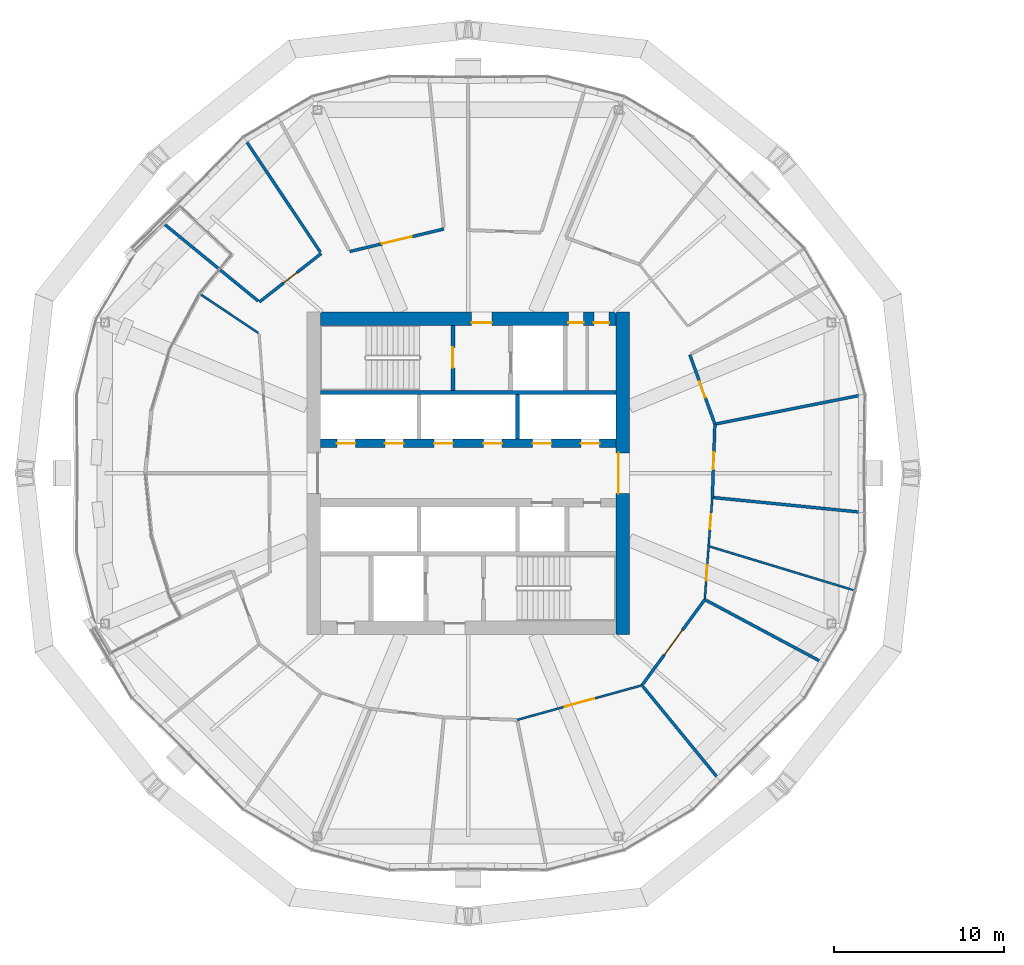
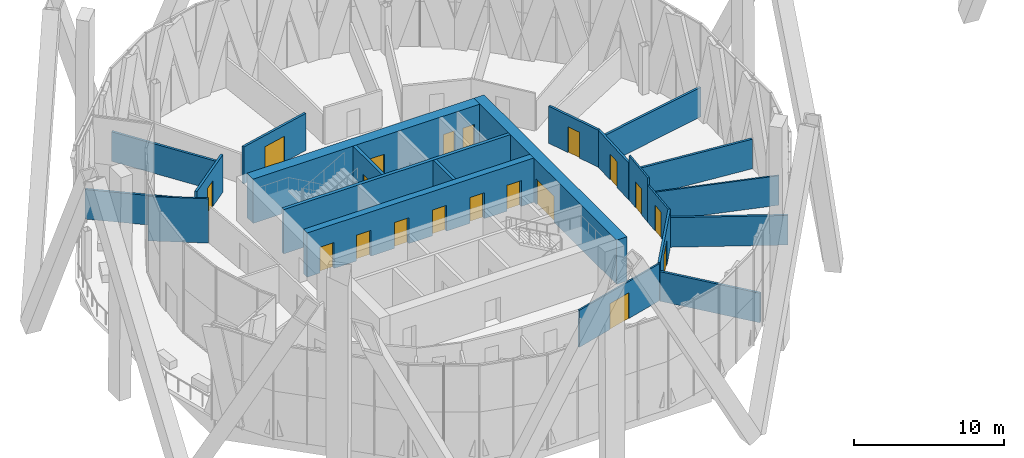
# One storey, part 22 of 30: 22 walls, 19 doors, 19 openings.
"""IFC4 building model written with IfcOpenShell, lengths in metres."""

from ifc_helpers import new_model, si_unit, direction, frame, frame_2d, origin, place, context, subcontext, project, spatial, rectangle, extrude, material, layer, layer_set, type_object, element, fill, save


model = new_model("IFC4")

# Units and contexts
model_context = context("Model", 3, precision=1e-05, world=origin(), true_north=direction((0.0, 1.0)))
body_context = subcontext(model_context, "Body", "Model", "MODEL_VIEW")
ifc_project = project(units=[si_unit("LENGTHUNIT", "METRE"), si_unit("AREAUNIT", "SQUARE_METRE"), si_unit("VOLUMEUNIT", "CUBIC_METRE"), si_unit("PLANEANGLEUNIT", "RADIAN"), si_unit("MASSUNIT", "GRAM", prefix="KILO")], contexts=[model_context])

# Site, building, storey
site_placement = place(None, origin())
site = spatial("IfcSite", under=ifc_project, at=site_placement, CompositionType="ELEMENT")
building_placement = place(site_placement, origin())
building = spatial("IfcBuilding", under=site, at=building_placement, Name="Ogive Gate Towers", CompositionType="ELEMENT")
storey_placement = place(building_placement, frame((0.0, 0.0, 99.60009765625)))
storey = spatial("IfcBuildingStorey", under=building, at=storey_placement, Name="L23", CompositionType="ELEMENT", Elevation=99.60009765625)

# Walls
ifc_material_1 = material(Name="Gypsum board acoustic partition")
ifc_layer_1 = layer(ifc_material_1, 0.175048828125)
ifc_layer_set_1 = layer_set([ifc_layer_1], Name="Acoustic partition 175")
wall_type_1 = type_object("IfcWallType", Name="Acoustic partition 175", PredefinedType="PARTITIONING", material=ifc_layer_set_1)
wall_1_placement = place(storey_placement, frame((-12.74462890625, 4.6181640625, 0.0), z_axis=(0.0, 0.0, 1.0), x_axis=(-0.980846189341, -0.194783861895, 0.0)))
element("IfcWall", 1, at=wall_1_placement, inside=storey, type_object=wall_type_1, Name="Partition T1-L23-001", PredefinedType="PARTITIONING", context=body_context, shape_type="SweptSolid", body=[
    extrude(rectangle(XDim=8.811279296875, YDim=0.175048828125, at=frame_2d((4.40576171875, 0.0))), origin(), (0.0, 0.0, 1.0), 2.39990234375),
])
wall_2_placement = place(storey_placement, frame((-49.1787109375, 19.709716796875, 0.0), z_axis=(0.0, 0.0, 1.0), x_axis=(0.555845830277, -0.831285398021, 0.0)))
element("IfcWall", 2, at=wall_2_placement, inside=storey, type_object=wall_type_1, Name="Partition T1-L23-010", PredefinedType="PARTITIONING", context=body_context, shape_type="SweptSolid", body=[
    extrude(rectangle(XDim=8.0615234375, YDim=0.175048828125, at=frame_2d((4.03076171875, 0.0))), origin(), (0.0, 0.0, 1.0), 2.39990234375),
])
wall_3_placement = place(storey_placement, frame((-54.055419921875, 14.79931640625, 0.0), z_axis=(0.0, 0.0, 1.0), x_axis=(0.773401433888, -0.633916573422, 0.0)))
element("IfcWall", 3, at=wall_3_placement, inside=storey, type_object=wall_type_1, Name="Partition T1-L23-011", PredefinedType="PARTITIONING", context=body_context, shape_type="SweptSolid", body=[
    extrude(rectangle(XDim=7.36181640625, YDim=0.175048828125, at=frame_2d((3.680908203125, 0.0))), origin(), (0.0, 0.0, 1.0), 2.39990234375),
])
wall_4_placement = place(storey_placement, frame((-21.205322265625, -18.06005859375, 0.0), z_axis=(0.0, 0.0, 1.0), x_axis=(-0.633691954899, 0.773585487388, 0.0)))
element("IfcWall", 4, at=wall_4_placement, inside=storey, type_object=wall_type_1, Name="Partition T1-L23-021", PredefinedType="PARTITIONING", context=body_context, shape_type="SweptSolid", body=[
    extrude(rectangle(XDim=7.111572265625, YDim=0.175048828125, at=frame_2d((3.5556640625, 0.0))), origin(), (0.0, 0.0, 1.0), 2.39990234375),
])
wall_5_placement = place(storey_placement, frame((-15.1005859375, -11.1640625, 0.0), z_axis=(0.0, 0.0, 1.0), x_axis=(-0.882037828895, 0.471178595012, 0.0)))
element("IfcWall", 5, at=wall_5_placement, inside=storey, type_object=wall_type_1, Name="Partition T1-L23-022", PredefinedType="PARTITIONING", context=body_context, shape_type="SweptSolid", body=[
    extrude(rectangle(XDim=7.8115234375, YDim=0.175048828125, at=frame_2d((3.90576171875, 0.0))), origin(), (0.0, 0.0, 1.0), 2.39990234375),
])
wall_6_placement = place(storey_placement, frame((-12.768310546875, -2.308837890625, 0.0), z_axis=(0.0, 0.0, 1.0), x_axis=(-0.995098722397, 0.098886463601, 0.0)))
element("IfcWall", 6, at=wall_6_placement, inside=storey, type_object=wall_type_1, Name="Partition T1-L23-024", PredefinedType="PARTITIONING", context=body_context, shape_type="SweptSolid", body=[
    extrude(rectangle(XDim=8.8115234375, YDim=0.175048828125, at=frame_2d((4.40576171875, 0.0))), origin(), (0.0, 0.0, 1.0), 2.39990234375),
])

# Wall, opening, door
wall_7_placement = place(storey_placement, frame((-22.949951171875, 6.97119140625, 0.0), z_axis=(0.0, 0.0, 1.0), x_axis=(0.339879175727, -0.940469109491, 0.0)))
wall_7 = element("IfcWall", 7, at=wall_7_placement, inside=storey, type_object=wall_type_1, Name="Partition T1-L23-027", PredefinedType="PARTITIONING", context=body_context, shape_type="SweptSolid", body=[
    extrude(rectangle(XDim=4.34521484375, YDim=0.175048828125, at=frame_2d((2.172607421875, 0.0))), origin(), (0.0, 0.0, 1.0), 3.010009765625),
])
opening_1_placement = place(wall_7_placement, frame((1.673095703125, 0.0, 0.0)))
opening_1 = element("IfcOpeningElement", 8, at=opening_1_placement, cuts=wall_7, Name="Opening T1-L23-D03", PredefinedType="OPENING", context=body_context, shape_type="SweptSolid", body=[
    extrude(rectangle(XDim=1.0, YDim=2.10009765625, at=frame_2d((0.5, 1.050048828125))), frame((0.0, 0.09765625, 0.0), z_axis=(0.0, -1.0, 0.0), x_axis=(1.0, 0.0, 0.0)), (0.0, 0.0, 1.0), 0.195068359375),
])
ifc_material_2 = material(Name="Timber door", Category="wood")
door_type_1 = type_object("IfcDoorType", Name="Door 1000", OperationType="NOTDEFINED", PredefinedType="DOOR", material=ifc_material_2)
door_1_placement = place(opening_1_placement, origin())
door_1 = element("IfcDoor", 9, at=door_1_placement, inside=storey, type_object=door_type_1, Name="Door T1-L23-D03", OperationType="SINGLE_SWING_LEFT", OverallHeight=2.10009765625, OverallWidth=1.0, PredefinedType="DOOR", context=body_context, shape_type="SweptSolid", body=[
    extrude(rectangle(XDim=1.0, YDim=2.10009765625, at=frame_2d((0.5, 1.050048828125))), frame((0.0, 0.02490234375, 0.0), z_axis=(0.0, -1.0, 0.0), x_axis=(1.0, 0.0, 0.0)), (0.0, 0.0, 1.0), 0.050048828125),
])
fill(opening_1, door_1)

wall_8_placement = place(storey_placement, frame((-21.47314453125, 2.884765625, 0.0), z_axis=(0.0, 0.0, 1.0), x_axis=(-0.034844121558, -0.999392759226, 0.0)))
wall_8 = element("IfcWall", 10, at=wall_8_placement, inside=storey, type_object=wall_type_1, Name="Partition T1-L23-028", PredefinedType="PARTITIONING", context=body_context, shape_type="SweptSolid", body=[
    extrude(rectangle(XDim=4.316162109375, YDim=0.175048828125, at=frame_2d((2.158203125, 0.0))), origin(), (0.0, 0.0, 1.0), 3.0),
])
opening_2_placement = place(wall_8_placement, frame((1.657958984375, 0.0, 0.0)))
opening_2 = element("IfcOpeningElement", 11, at=opening_2_placement, cuts=wall_8, Name="Opening T1-L23-D04", PredefinedType="OPENING", context=body_context, shape_type="SweptSolid", body=[
    extrude(rectangle(XDim=1.0, YDim=2.10009765625, at=frame_2d((0.5, 1.050048828125))), frame((0.0, 0.09765625, 0.0), z_axis=(0.0, -1.0, 0.0), x_axis=(1.0, 0.0, 0.0)), (0.0, 0.0, 1.0), 0.195068359375),
])
door_2_placement = place(opening_2_placement, origin())
door_2 = element("IfcDoor", 12, at=door_2_placement, inside=storey, type_object=door_type_1, Name="Door T1-L23-D04", OperationType="SINGLE_SWING_LEFT", OverallHeight=2.10009765625, OverallWidth=1.0, PredefinedType="DOOR", context=body_context, shape_type="SweptSolid", body=[
    extrude(rectangle(XDim=1.0, YDim=2.10009765625, at=frame_2d((0.5, 1.050048828125))), frame((0.0, 0.02490234375, 0.0), z_axis=(0.0, -1.0, 0.0), x_axis=(1.0, 0.0, 0.0)), (0.0, 0.0, 1.0), 0.050048828125),
])
fill(opening_2, door_2)

wall_9_placement = place(storey_placement, frame((-22.06787109375, -7.4423828125, 0.0), z_axis=(0.0, 0.0, 1.0), x_axis=(-0.591069382542, -0.806620719435, 0.0)))
wall_9 = element("IfcWall", 13, at=wall_9_placement, inside=storey, type_object=wall_type_1, Name="Partition T1-L23-031", PredefinedType="PARTITIONING", context=body_context, shape_type="SweptSolid", body=[
    extrude(rectangle(XDim=6.259033203125, YDim=0.175048828125, at=frame_2d((3.12939453125, 0.0))), origin(), (0.0, 0.0, 1.0), 3.0498046875),
])
opening_3_placement = place(wall_9_placement, frame((2.22998046875, 0.0, 0.0)))
opening_3 = element("IfcOpeningElement", 14, at=opening_3_placement, cuts=wall_9, Name="Opening T1-L23-D07", PredefinedType="OPENING", context=body_context, shape_type="SweptSolid", body=[
    extrude(rectangle(XDim=1.800048828125, YDim=2.10009765625, at=frame_2d((0.89990234375, 1.050048828125))), frame((0.0, 0.09765625, 0.0), z_axis=(0.0, -1.0, 0.0), x_axis=(1.0, 0.0, 0.0)), (0.0, 0.0, 1.0), 0.195068359375),
])
door_type_2 = type_object("IfcDoorType", Name="Door pair 1800", OperationType="NOTDEFINED", PredefinedType="DOOR", material=ifc_material_2)
door_3_placement = place(opening_3_placement, origin())
door_3 = element("IfcDoor", 15, at=door_3_placement, inside=storey, type_object=door_type_2, Name="Door T1-L23-D07", OperationType="DOUBLE_DOOR_DOUBLE_SWING", OverallHeight=2.10009765625, OverallWidth=1.800048828125, PredefinedType="DOOR", context=body_context, shape_type="SweptSolid", body=[
    extrude(rectangle(XDim=1.800048828125, YDim=2.10009765625, at=frame_2d((0.89990234375, 1.050048828125))), frame((0.0, 0.02490234375, 0.0), z_axis=(0.0, -1.0, 0.0), x_axis=(1.0, 0.0, 0.0)), (0.0, 0.0, 1.0), 0.050048828125),
])
fill(opening_3, door_3)

wall_10_placement = place(storey_placement, frame((-48.294189453125, 10.0771484375, 0.0), z_axis=(0.0, 0.0, 1.0), x_axis=(0.786925177745, 0.617048429729, 0.0)))
wall_10 = element("IfcWall", 16, at=wall_10_placement, inside=storey, type_object=wall_type_1, Name="Partition T1-L23-040", PredefinedType="PARTITIONING", context=body_context, shape_type="SweptSolid", body=[
    extrude(rectangle(XDim=4.632080078125, YDim=0.175048828125, at=frame_2d((2.31591796875, 0.0))), origin(), (0.0, 0.0, 1.0), 3.0498046875),
])
opening_4_placement = place(wall_10_placement, frame((1.81591796875, 0.0, 0.0)))
opening_4 = element("IfcOpeningElement", 17, at=opening_4_placement, cuts=wall_10, Name="Opening T1-L23-D16", PredefinedType="OPENING", context=body_context, shape_type="SweptSolid", body=[
    extrude(rectangle(XDim=1.0, YDim=2.10009765625, at=frame_2d((0.5, 1.050048828125))), frame((0.0, 0.09765625, 0.0), z_axis=(0.0, -1.0, 0.0), x_axis=(1.0, 0.0, 0.0)), (0.0, 0.0, 1.0), 0.195068359375),
])
door_4_placement = place(opening_4_placement, origin())
door_4 = element("IfcDoor", 18, at=door_4_placement, inside=storey, type_object=door_type_1, Name="Door T1-L23-D16", OperationType="SINGLE_SWING_RIGHT", OverallHeight=2.10009765625, OverallWidth=1.0, PredefinedType="DOOR", context=body_context, shape_type="SweptSolid", body=[
    extrude(rectangle(XDim=1.0, YDim=2.10009765625, at=frame_2d((0.5, 1.050048828125))), frame((0.0, 0.02490234375, 0.0), z_axis=(0.0, -1.0, 0.0), x_axis=(1.0, 0.0, 0.0)), (0.0, 0.0, 1.0), 0.050048828125),
])
fill(opening_4, door_4)

wall_11_placement = place(storey_placement, frame((-42.97119140625, 13.050048828125, 0.0), z_axis=(0.0, 0.0, 1.0), x_axis=(0.972537588214, 0.232745868944, 0.0)))
wall_11 = element("IfcWall", 19, at=wall_11_placement, inside=storey, type_object=wall_type_1, Name="Partition T1-L23-041", PredefinedType="PARTITIONING", context=body_context, shape_type="SweptSolid", body=[
    extrude(rectangle(XDim=5.698974609375, YDim=0.175048828125, at=frame_2d((2.849609375, 0.0))), origin(), (0.0, 0.0, 1.0), 3.010009765625),
])
opening_5_placement = place(wall_11_placement, frame((1.948974609375, 0.0, 0.0)))
opening_5 = element("IfcOpeningElement", 20, at=opening_5_placement, cuts=wall_11, Name="Opening T1-L23-D17", PredefinedType="OPENING", context=body_context, shape_type="SweptSolid", body=[
    extrude(rectangle(XDim=1.800048828125, YDim=2.10009765625, at=frame_2d((0.89990234375, 1.050048828125))), frame((0.0, 0.09765625, 0.0), z_axis=(0.0, -1.0, 0.0), x_axis=(1.0, 0.0, 0.0)), (0.0, 0.0, 1.0), 0.195068359375),
])
door_5_placement = place(opening_5_placement, origin())
door_5 = element("IfcDoor", 21, at=door_5_placement, inside=storey, type_object=door_type_2, Name="Door T1-L23-D17", OperationType="DOUBLE_DOOR_DOUBLE_SWING", OverallHeight=2.10009765625, OverallWidth=1.800048828125, PredefinedType="DOOR", context=body_context, shape_type="SweptSolid", body=[
    extrude(rectangle(XDim=1.800048828125, YDim=2.10009765625, at=frame_2d((0.89990234375, 1.050048828125))), frame((0.0, 0.02490234375, 0.0), z_axis=(0.0, -1.0, 0.0), x_axis=(1.0, 0.0, 0.0)), (0.0, 0.0, 1.0), 0.050048828125),
])
fill(opening_5, door_5)

# Wall, openings, doors
ifc_material_3 = material(Name="Concrete C60/75", Category="concrete")
ifc_layer_2 = layer(ifc_material_3, 0.800048828125)
ifc_layer_set_2 = layer_set([ifc_layer_2], Name="Core wall 800 mm")
wall_type_2 = type_object("IfcWallType", Name="Core wall 800 mm", PredefinedType="SHEAR", material=ifc_layer_set_2)
wall_12_placement = place(storey_placement, frame((-44.699951171875, 9.10009765625, 0.0), z_axis=(0.0, 0.0, 1.0), x_axis=(1.0, 0.0, 0.0)))
wall_12 = element("IfcWall", 22, at=wall_12_placement, inside=storey, type_object=wall_type_2, Name="T1 L23 Core wall 800 mm", PredefinedType="SHEAR", context=body_context, shape_type="SweptSolid", body=[
    extrude(rectangle(XDim=17.39990234375, YDim=0.800048828125, at=frame_2d((8.699951171875, 0.0))), origin(), (0.0, 0.0, 1.0), 3.599853515625),
])
opening_6_placement = place(wall_12_placement, frame((8.89990234375, 0.0, 0.0)))
opening_6 = element("IfcOpeningElement", 23, at=opening_6_placement, cuts=wall_12, Name="Opening KD-T1-L23-15", PredefinedType="OPENING", context=body_context, shape_type="SweptSolid", body=[
    extrude(rectangle(XDim=1.199951171875, YDim=2.10009765625, at=frame_2d((0.60009765625, 1.050048828125))), frame((0.0, 0.41015625, 0.0), z_axis=(0.0, -1.0, 0.0), x_axis=(1.0, 0.0, 0.0)), (0.0, 0.0, 1.0), 0.820068359375),
])
opening_7_placement = place(wall_12_placement, frame((14.60009765625, 0.0, 0.0)))
opening_7 = element("IfcOpeningElement", 24, at=opening_7_placement, cuts=wall_12, Name="Opening KD-T1-L23-17", PredefinedType="OPENING", context=body_context, shape_type="SweptSolid", body=[
    extrude(rectangle(XDim=0.89990234375, YDim=2.10009765625, at=frame_2d((0.449951171875, 1.050048828125))), frame((0.0, 0.41015625, 0.0), z_axis=(0.0, -1.0, 0.0), x_axis=(1.0, 0.0, 0.0)), (0.0, 0.0, 1.0), 0.820068359375),
])
opening_8_placement = place(wall_12_placement, frame((16.10009765625, 0.0, 0.0)))
opening_8 = element("IfcOpeningElement", 25, at=opening_8_placement, cuts=wall_12, Name="Opening KD-T1-L23-18", PredefinedType="OPENING", context=body_context, shape_type="SweptSolid", body=[
    extrude(rectangle(XDim=0.89990234375, YDim=2.10009765625, at=frame_2d((0.449951171875, 1.050048828125))), frame((0.0, 0.41015625, 0.0), z_axis=(0.0, -1.0, 0.0), x_axis=(1.0, 0.0, 0.0)), (0.0, 0.0, 1.0), 0.820068359375),
])
door_type_3 = type_object("IfcDoorType", Name="Core WC door 900 x 2100", OperationType="NOTDEFINED", PredefinedType="DOOR", material=ifc_material_2)
door_6_placement = place(opening_7_placement, origin())
door_6 = element("IfcDoor", 26, at=door_6_placement, inside=storey, type_object=door_type_3, Name="T1 L23 Core door", OperationType="SINGLE_SWING_RIGHT", OverallHeight=2.10009765625, OverallWidth=0.89990234375, PredefinedType="DOOR", context=body_context, shape_type="SweptSolid", body=[
    extrude(rectangle(XDim=0.89990234375, YDim=2.10009765625, at=frame_2d((0.449951171875, 1.050048828125))), frame((0.0, -0.22509765625, 0.0), z_axis=(0.0, -1.0, 0.0), x_axis=(1.0, 0.0, 0.0)), (0.0, 0.0, 1.0), 0.050048828125),
])
fill(opening_7, door_6)
door_7_placement = place(opening_8_placement, origin())
door_7 = element("IfcDoor", 27, at=door_7_placement, inside=storey, type_object=door_type_3, Name="T1 L23 Core door", OperationType="SINGLE_SWING_LEFT", OverallHeight=2.10009765625, OverallWidth=0.89990234375, PredefinedType="DOOR", context=body_context, shape_type="SweptSolid", body=[
    extrude(rectangle(XDim=0.89990234375, YDim=2.10009765625, at=frame_2d((0.449951171875, 1.050048828125))), frame((0.0, -0.22509765625, 0.0), z_axis=(0.0, -1.0, 0.0), x_axis=(1.0, 0.0, 0.0)), (0.0, 0.0, 1.0), 0.050048828125),
])
fill(opening_8, door_7)
ifc_material_4 = material(Name="Steel fire door", Category="steel")
door_type_4 = type_object("IfcDoorType", Name="Core door FD60S 1200 x 2100", OperationType="NOTDEFINED", PredefinedType="DOOR", material=ifc_material_4)
door_8_placement = place(opening_6_placement, origin())
door_8 = element("IfcDoor", 28, at=door_8_placement, inside=storey, type_object=door_type_4, Name="T1 L23 Fire-fighting lobby door", OperationType="SINGLE_SWING_RIGHT", OverallHeight=2.10009765625, OverallWidth=1.199951171875, PredefinedType="DOOR", context=body_context, shape_type="SweptSolid", body=[
    extrude(rectangle(XDim=1.199951171875, YDim=2.10009765625, at=frame_2d((0.60009765625, 1.050048828125))), frame((0.0, -0.22509765625, 0.0), z_axis=(0.0, -1.0, 0.0), x_axis=(1.0, 0.0, 0.0)), (0.0, 0.0, 1.0), 0.050048828125),
])
fill(opening_6, door_8)

# Wall, opening, door
wall_13_placement = place(storey_placement, frame((-26.89990234375, -9.5, 0.0), z_axis=(0.0, 0.0, 1.0), x_axis=(0.0, 1.0, 0.0)))
wall_13 = element("IfcWall", 29, at=wall_13_placement, inside=storey, type_object=wall_type_2, Name="T1 L23 Core wall 800 mm", PredefinedType="SHEAR", context=body_context, shape_type="SweptSolid", body=[
    extrude(rectangle(XDim=19.0, YDim=0.800048828125, at=frame_2d((9.5, 0.0))), origin(), (0.0, 0.0, 1.0), 3.599853515625),
])
opening_9_placement = place(wall_13_placement, frame((8.300048828125, 0.0, 0.0)))
opening_9 = element("IfcOpeningElement", 30, at=opening_9_placement, cuts=wall_13, Name="Opening KD-T1-L23-02", PredefinedType="OPENING", context=body_context, shape_type="SweptSolid", body=[
    extrude(rectangle(XDim=2.39990234375, YDim=2.10009765625, at=frame_2d((1.199951171875, 1.050048828125))), frame((0.0, 0.41015625, 0.0), z_axis=(0.0, -1.0, 0.0), x_axis=(1.0, 0.0, 0.0)), (0.0, 0.0, 1.0), 0.820068359375),
])
door_type_5 = type_object("IfcDoorType", Name="Core double door FD60S 2400 x 2100", OperationType="DOUBLE_DOOR_SINGLE_SWING", PredefinedType="DOOR", material=ifc_material_4)
door_9_placement = place(opening_9_placement, origin())
door_9 = element("IfcDoor", 31, at=door_9_placement, inside=storey, type_object=door_type_5, Name="T1 L23 Core door double", OperationType="DOUBLE_DOOR_SINGLE_SWING", OverallHeight=2.10009765625, OverallWidth=2.39990234375, PredefinedType="DOOR", context=body_context, shape_type="SweptSolid", body=[
    extrude(rectangle(XDim=2.39990234375, YDim=2.10009765625, at=frame_2d((1.199951171875, 1.050048828125))), frame((0.0, 0.27490234375, 0.0), z_axis=(0.0, -1.0, 0.0), x_axis=(1.0, 0.0, 0.0)), (0.0, 0.0, 1.0), 0.050048828125),
])
fill(opening_9, door_9)

# Walls
ifc_material_5 = material(Name="Gypsum board partition")
ifc_layer_3 = layer(ifc_material_5, 0.125)
ifc_layer_set_3 = layer_set([ifc_layer_3], Name="Partition 125")
wall_type_3 = type_object("IfcWallType", Name="Partition 125", PredefinedType="PARTITIONING", material=ifc_layer_set_3)
wall_14_placement = place(storey_placement, frame((-51.72265625, 10.505615234375, 0.0), z_axis=(0.0, 0.0, 1.0), x_axis=(0.831482605383, -0.555550787008, 0.0)))
element("IfcWall", 32, at=wall_14_placement, inside=storey, type_object=wall_type_3, Name="Partition T1-L23-012", PredefinedType="PARTITIONING", context=body_context, shape_type="SweptSolid", body=[
    extrude(rectangle(XDim=4.0390625, YDim=0.125, at=frame_2d((2.01953125, 0.0))), origin(), (0.0, 0.0, 1.0), 3.599853515625),
])
wall_15_placement = place(storey_placement, frame((-13.32763671875, -6.8837890625, 0.0), z_axis=(0.0, 0.0, 1.0), x_axis=(-0.956872074034, 0.290509610743, 0.0)))
element("IfcWall", 33, at=wall_15_placement, inside=storey, type_object=wall_type_3, Name="Partition T1-L23-023", PredefinedType="PARTITIONING", context=body_context, shape_type="SweptSolid", body=[
    extrude(rectangle(XDim=8.836669921875, YDim=0.125, at=frame_2d((4.41845703125, 0.0))), origin(), (0.0, 0.0, 1.0), 2.39990234375),
])

# Wall, opening, door
wall_16_placement = place(storey_placement, frame((-21.62353515625, -1.4287109375, 0.0), z_axis=(0.0, 0.0, 1.0), x_axis=(-0.07626186434, -0.997087823638, 0.0)))
wall_16 = element("IfcWall", 34, at=wall_16_placement, inside=storey, type_object=wall_type_3, Name="Partition T1-L23-029", PredefinedType="PARTITIONING", context=body_context, shape_type="SweptSolid", body=[
    extrude(rectangle(XDim=2.8779296875, YDim=0.125, at=frame_2d((1.43896484375, 0.0))), origin(), (0.0, 0.0, 1.0), 3.599853515625),
])
opening_10_placement = place(wall_16_placement, frame((0.989013671875, 0.0, 0.0)))
opening_10 = element("IfcOpeningElement", 35, at=opening_10_placement, cuts=wall_16, Name="Opening T1-L23-D05", PredefinedType="OPENING", context=body_context, shape_type="SweptSolid", body=[
    extrude(rectangle(XDim=0.89990234375, YDim=2.10009765625, at=frame_2d((0.449951171875, 1.050048828125))), frame((0.0, 0.072509765625, 0.0), z_axis=(0.0, -1.0, 0.0), x_axis=(1.0, 0.0, 0.0)), (0.0, 0.0, 1.0), 0.14501953125),
])
door_type_6 = type_object("IfcDoorType", Name="Door 900", OperationType="NOTDEFINED", PredefinedType="DOOR", material=ifc_material_2)
door_10_placement = place(opening_10_placement, origin())
door_10 = element("IfcDoor", 36, at=door_10_placement, inside=storey, type_object=door_type_6, Name="Door T1-L23-D05", OperationType="SINGLE_SWING_LEFT", OverallHeight=2.10009765625, OverallWidth=0.89990234375, PredefinedType="DOOR", context=body_context, shape_type="SweptSolid", body=[
    extrude(rectangle(XDim=0.89990234375, YDim=2.10009765625, at=frame_2d((0.449951171875, 1.050048828125))), frame((0.0, 0.02490234375, 0.0), z_axis=(0.0, -1.0, 0.0), x_axis=(1.0, 0.0, 0.0)), (0.0, 0.0, 1.0), 0.050048828125),
])
fill(opening_10, door_10)

wall_17_placement = place(storey_placement, frame((-21.843017578125, -4.29833984375, 0.0), z_axis=(0.0, 0.0, 1.0), x_axis=(-0.071335119215, -0.997452405264, 0.0)))
wall_17 = element("IfcWall", 37, at=wall_17_placement, inside=storey, type_object=wall_type_3, Name="Partition T1-L23-030", PredefinedType="PARTITIONING", context=body_context, shape_type="SweptSolid", body=[
    extrude(rectangle(XDim=3.152099609375, YDim=0.125, at=frame_2d((1.576171875, 0.0))), origin(), (0.0, 0.0, 1.0), 3.010009765625),
])
opening_11_placement = place(wall_17_placement, frame((1.1259765625, 0.0, 0.0)))
opening_11 = element("IfcOpeningElement", 38, at=opening_11_placement, cuts=wall_17, Name="Opening T1-L23-D06", PredefinedType="OPENING", context=body_context, shape_type="SweptSolid", body=[
    extrude(rectangle(XDim=0.89990234375, YDim=2.10009765625, at=frame_2d((0.449951171875, 1.050048828125))), frame((0.0, 0.072509765625, 0.0), z_axis=(0.0, -1.0, 0.0), x_axis=(1.0, 0.0, 0.0)), (0.0, 0.0, 1.0), 0.14501953125),
])
door_11_placement = place(opening_11_placement, origin())
door_11 = element("IfcDoor", 39, at=door_11_placement, inside=storey, type_object=door_type_6, Name="Door T1-L23-D06", OperationType="SINGLE_SWING_RIGHT", OverallHeight=2.10009765625, OverallWidth=0.89990234375, PredefinedType="DOOR", context=body_context, shape_type="SweptSolid", body=[
    extrude(rectangle(XDim=0.89990234375, YDim=2.10009765625, at=frame_2d((0.449951171875, 1.050048828125))), frame((0.0, 0.02490234375, 0.0), z_axis=(0.0, -1.0, 0.0), x_axis=(1.0, 0.0, 0.0)), (0.0, 0.0, 1.0), 0.050048828125),
])
fill(opening_11, door_11)

wall_18_placement = place(storey_placement, frame((-25.767333984375, -12.490966796875, 0.0), z_axis=(0.0, 0.0, 1.0), x_axis=(-0.963693396875, -0.267011304666, 0.0)))
wall_18 = element("IfcWall", 40, at=wall_18_placement, inside=storey, type_object=wall_type_3, Name="Partition T1-L23-032", PredefinedType="PARTITIONING", context=body_context, shape_type="SweptSolid", body=[
    extrude(rectangle(XDim=7.624755859375, YDim=0.125, at=frame_2d((3.8125, 0.0))), origin(), (0.0, 0.0, 1.0), 3.010009765625),
])
opening_12_placement = place(wall_18_placement, frame((2.912109375, 0.0, 0.0)))
opening_12 = element("IfcOpeningElement", 41, at=opening_12_placement, cuts=wall_18, Name="Opening T1-L23-D08", PredefinedType="OPENING", context=body_context, shape_type="SweptSolid", body=[
    extrude(rectangle(XDim=1.800048828125, YDim=2.10009765625, at=frame_2d((0.89990234375, 1.050048828125))), frame((0.0, 0.072509765625, 0.0), z_axis=(0.0, -1.0, 0.0), x_axis=(1.0, 0.0, 0.0)), (0.0, 0.0, 1.0), 0.14501953125),
])
door_12_placement = place(opening_12_placement, origin())
door_12 = element("IfcDoor", 42, at=door_12_placement, inside=storey, type_object=door_type_2, Name="Door T1-L23-D08", OperationType="DOUBLE_DOOR_DOUBLE_SWING", OverallHeight=2.10009765625, OverallWidth=1.800048828125, PredefinedType="DOOR", context=body_context, shape_type="SweptSolid", body=[
    extrude(rectangle(XDim=1.800048828125, YDim=2.10009765625, at=frame_2d((0.89990234375, 1.050048828125))), frame((0.0, 0.02490234375, 0.0), z_axis=(0.0, -1.0, 0.0), x_axis=(1.0, 0.0, 0.0)), (0.0, 0.0, 1.0), 0.050048828125),
])
fill(opening_12, door_12)

# Wall
ifc_layer_4 = layer(ifc_material_3, 0.25)
ifc_layer_set_4 = layer_set([ifc_layer_4], Name="Shaft wall 250 mm")
wall_type_4 = type_object("IfcWallType", Name="Shaft wall 250 mm", PredefinedType="SHEAR", material=ifc_layer_set_4)
wall_19_placement = place(storey_placement, frame((-44.699951171875, 4.75, 0.0), z_axis=(0.0, 0.0, 1.0), x_axis=(1.0, 0.0, 0.0)))
element("IfcWall", 43, at=wall_19_placement, inside=storey, type_object=wall_type_4, Name="T1 L23 Shaft wall 250 mm", PredefinedType="SHEAR", context=body_context, shape_type="SweptSolid", body=[
    extrude(rectangle(XDim=17.39990234375, YDim=0.25, at=frame_2d((8.699951171875, 0.0))), origin(), (0.0, 0.0, 1.0), 3.599853515625),
])

# Wall, opening, door
wall_20_placement = place(storey_placement, frame((-36.89990234375, 4.875, 0.0), z_axis=(0.0, 0.0, 1.0), x_axis=(0.0, 1.0, 0.0)))
wall_20 = element("IfcWall", 44, at=wall_20_placement, inside=storey, type_object=wall_type_4, Name="T1 L23 Shaft wall 250 mm", PredefinedType="SHEAR", context=body_context, shape_type="SweptSolid", body=[
    extrude(rectangle(XDim=3.824951171875, YDim=0.25, at=frame_2d((1.91259765625, 0.0))), origin(), (0.0, 0.0, 1.0), 3.599853515625),
])
opening_13_placement = place(wall_20_placement, frame((1.324951171875, 0.0, 0.0)))
opening_13 = element("IfcOpeningElement", 45, at=opening_13_placement, cuts=wall_20, Name="Opening KD-T1-L23-13", PredefinedType="OPENING", context=body_context, shape_type="SweptSolid", body=[
    extrude(rectangle(XDim=1.199951171875, YDim=2.10009765625, at=frame_2d((0.60009765625, 1.050048828125))), frame((0.0, 0.135009765625, 0.0), z_axis=(0.0, -1.0, 0.0), x_axis=(1.0, 0.0, 0.0)), (0.0, 0.0, 1.0), 0.27001953125),
])
door_13_placement = place(opening_13_placement, origin())
door_13 = element("IfcDoor", 46, at=door_13_placement, inside=storey, type_object=door_type_4, Name="T1 L23 Stair door", OperationType="SINGLE_SWING_RIGHT", OverallHeight=2.10009765625, OverallWidth=1.199951171875, PredefinedType="DOOR", context=body_context, shape_type="SweptSolid", body=[
    extrude(rectangle(XDim=1.199951171875, YDim=2.10009765625, at=frame_2d((0.60009765625, 1.050048828125))), frame((0.0, 0.02490234375, 0.0), z_axis=(0.0, -1.0, 0.0), x_axis=(1.0, 0.0, 0.0)), (0.0, 0.0, 1.0), 0.050048828125),
])
fill(opening_13, door_13)

# Wall
wall_21_placement = place(storey_placement, frame((-33.10009765625, 2.0, 0.0), z_axis=(0.0, 0.0, 1.0), x_axis=(0.0, 1.0, 0.0)))
element("IfcWall", 47, at=wall_21_placement, inside=storey, type_object=wall_type_4, Name="T1 L23 Shaft wall 250 mm", PredefinedType="SHEAR", context=body_context, shape_type="SweptSolid", body=[
    extrude(rectangle(XDim=2.625, YDim=0.25, at=frame_2d((1.3125, 0.0))), origin(), (0.0, 0.0, 1.0), 3.599853515625),
])

# Wall, openings, doors
ifc_layer_5 = layer(ifc_material_3, 0.5)
ifc_layer_set_5 = layer_set([ifc_layer_5], Name="Spine wall 500 mm")
wall_type_5 = type_object("IfcWallType", Name="Spine wall 500 mm", PredefinedType="SHEAR", material=ifc_layer_set_5)
wall_22_placement = place(storey_placement, frame((-44.699951171875, 1.75, 0.0), z_axis=(0.0, 0.0, 1.0), x_axis=(1.0, 0.0, 0.0)))
wall_22 = element("IfcWall", 48, at=wall_22_placement, inside=storey, type_object=wall_type_5, Name="T1 L23 Spine wall 500 mm", PredefinedType="SHEAR", context=body_context, shape_type="SweptSolid", body=[
    extrude(rectangle(XDim=17.39990234375, YDim=0.5, at=frame_2d((8.699951171875, 0.0))), origin(), (0.0, 0.0, 1.0), 3.599853515625),
])
opening_14_placement = place(wall_22_placement, frame((0.96240234375, 0.0, 0.0)))
opening_14 = element("IfcOpeningElement", 49, at=opening_14_placement, cuts=wall_22, Name="Opening LD-T1-L23-03", PredefinedType="OPENING", context=body_context, shape_type="SweptSolid", body=[
    extrude(rectangle(XDim=1.10009765625, YDim=2.10009765625, at=frame_2d((0.550048828125, 1.050048828125))), frame((0.0, 0.260009765625, 0.0), z_axis=(0.0, -1.0, 0.0), x_axis=(1.0, 0.0, 0.0)), (0.0, 0.0, 1.0), 0.52001953125),
])
opening_15_placement = place(wall_22_placement, frame((3.800048828125, 0.0, 0.0)))
opening_15 = element("IfcOpeningElement", 50, at=opening_15_placement, cuts=wall_22, Name="Opening LD-T1-L23-04", PredefinedType="OPENING", context=body_context, shape_type="SweptSolid", body=[
    extrude(rectangle(XDim=1.10009765625, YDim=2.10009765625, at=frame_2d((0.550048828125, 1.050048828125))), frame((0.0, 0.260009765625, 0.0), z_axis=(0.0, -1.0, 0.0), x_axis=(1.0, 0.0, 0.0)), (0.0, 0.0, 1.0), 0.52001953125),
])
opening_16_placement = place(wall_22_placement, frame((6.699951171875, 0.0, 0.0)))
opening_16 = element("IfcOpeningElement", 51, at=opening_16_placement, cuts=wall_22, Name="Opening LD-T1-L23-05", PredefinedType="OPENING", context=body_context, shape_type="SweptSolid", body=[
    extrude(rectangle(XDim=1.10009765625, YDim=2.10009765625, at=frame_2d((0.550048828125, 1.050048828125))), frame((0.0, 0.260009765625, 0.0), z_axis=(0.0, -1.0, 0.0), x_axis=(1.0, 0.0, 0.0)), (0.0, 0.0, 1.0), 0.52001953125),
])
opening_17_placement = place(wall_22_placement, frame((9.60009765625, 0.0, 0.0)))
opening_17 = element("IfcOpeningElement", 52, at=opening_17_placement, cuts=wall_22, Name="Opening LD-T1-L23-06", PredefinedType="OPENING", context=body_context, shape_type="SweptSolid", body=[
    extrude(rectangle(XDim=1.10009765625, YDim=2.10009765625, at=frame_2d((0.550048828125, 1.050048828125))), frame((0.0, 0.260009765625, 0.0), z_axis=(0.0, -1.0, 0.0), x_axis=(1.0, 0.0, 0.0)), (0.0, 0.0, 1.0), 0.52001953125),
])
opening_18_placement = place(wall_22_placement, frame((12.5, 0.0, 0.0)))
opening_18 = element("IfcOpeningElement", 53, at=opening_18_placement, cuts=wall_22, Name="Opening LD-T1-L23-07", PredefinedType="OPENING", context=body_context, shape_type="SweptSolid", body=[
    extrude(rectangle(XDim=1.10009765625, YDim=2.10009765625, at=frame_2d((0.550048828125, 1.050048828125))), frame((0.0, 0.260009765625, 0.0), z_axis=(0.0, -1.0, 0.0), x_axis=(1.0, 0.0, 0.0)), (0.0, 0.0, 1.0), 0.52001953125),
])
opening_19_placement = place(wall_22_placement, frame((15.33740234375, 0.0, 0.0)))
opening_19 = element("IfcOpeningElement", 54, at=opening_19_placement, cuts=wall_22, Name="Opening LD-T1-L23-08", PredefinedType="OPENING", context=body_context, shape_type="SweptSolid", body=[
    extrude(rectangle(XDim=1.10009765625, YDim=2.10009765625, at=frame_2d((0.550048828125, 1.050048828125))), frame((0.0, 0.260009765625, 0.0), z_axis=(0.0, -1.0, 0.0), x_axis=(1.0, 0.0, 0.0)), (0.0, 0.0, 1.0), 0.52001953125),
])
ifc_material_6 = material(Name="Stainless steel landing door", Category="steel")
door_type_7 = type_object("IfcDoorType", Name="Landing door 1100 x 2100", OperationType="SLIDING_TO_LEFT", PredefinedType="DOOR", material=ifc_material_6)
door_14_placement = place(opening_14_placement, origin())
door_14 = element("IfcDoor", 55, at=door_14_placement, inside=storey, type_object=door_type_7, Name="T1 L23 Lift landing door A1", OperationType="SLIDING_TO_LEFT", OverallHeight=2.10009765625, OverallWidth=1.10009765625, PredefinedType="DOOR", context=body_context, shape_type="SweptSolid", body=[
    extrude(rectangle(XDim=1.10009765625, YDim=2.10009765625, at=frame_2d((0.550048828125, 1.050048828125))), frame((0.0, 0.02490234375, 0.0), z_axis=(0.0, -1.0, 0.0), x_axis=(1.0, 0.0, 0.0)), (0.0, 0.0, 1.0), 0.050048828125),
])
fill(opening_14, door_14)
door_15_placement = place(opening_15_placement, origin())
door_15 = element("IfcDoor", 56, at=door_15_placement, inside=storey, type_object=door_type_7, Name="T1 L23 Lift landing door A2", OperationType="SLIDING_TO_LEFT", OverallHeight=2.10009765625, OverallWidth=1.10009765625, PredefinedType="DOOR", context=body_context, shape_type="SweptSolid", body=[
    extrude(rectangle(XDim=1.10009765625, YDim=2.10009765625, at=frame_2d((0.550048828125, 1.050048828125))), frame((0.0, 0.02490234375, 0.0), z_axis=(0.0, -1.0, 0.0), x_axis=(1.0, 0.0, 0.0)), (0.0, 0.0, 1.0), 0.050048828125),
])
fill(opening_15, door_15)
door_16_placement = place(opening_16_placement, origin())
door_16 = element("IfcDoor", 57, at=door_16_placement, inside=storey, type_object=door_type_7, Name="T1 L23 Lift landing door A3", OperationType="SLIDING_TO_LEFT", OverallHeight=2.10009765625, OverallWidth=1.10009765625, PredefinedType="DOOR", context=body_context, shape_type="SweptSolid", body=[
    extrude(rectangle(XDim=1.10009765625, YDim=2.10009765625, at=frame_2d((0.550048828125, 1.050048828125))), frame((0.0, 0.02490234375, 0.0), z_axis=(0.0, -1.0, 0.0), x_axis=(1.0, 0.0, 0.0)), (0.0, 0.0, 1.0), 0.050048828125),
])
fill(opening_16, door_16)
door_17_placement = place(opening_17_placement, origin())
door_17 = element("IfcDoor", 58, at=door_17_placement, inside=storey, type_object=door_type_7, Name="T1 L23 Lift landing door A4", OperationType="SLIDING_TO_LEFT", OverallHeight=2.10009765625, OverallWidth=1.10009765625, PredefinedType="DOOR", context=body_context, shape_type="SweptSolid", body=[
    extrude(rectangle(XDim=1.10009765625, YDim=2.10009765625, at=frame_2d((0.550048828125, 1.050048828125))), frame((0.0, 0.02490234375, 0.0), z_axis=(0.0, -1.0, 0.0), x_axis=(1.0, 0.0, 0.0)), (0.0, 0.0, 1.0), 0.050048828125),
])
fill(opening_17, door_17)
door_18_placement = place(opening_18_placement, origin())
door_18 = element("IfcDoor", 59, at=door_18_placement, inside=storey, type_object=door_type_7, Name="T1 L23 Lift landing door A5", OperationType="SLIDING_TO_LEFT", OverallHeight=2.10009765625, OverallWidth=1.10009765625, PredefinedType="DOOR", context=body_context, shape_type="SweptSolid", body=[
    extrude(rectangle(XDim=1.10009765625, YDim=2.10009765625, at=frame_2d((0.550048828125, 1.050048828125))), frame((0.0, 0.02490234375, 0.0), z_axis=(0.0, -1.0, 0.0), x_axis=(1.0, 0.0, 0.0)), (0.0, 0.0, 1.0), 0.050048828125),
])
fill(opening_18, door_18)
door_19_placement = place(opening_19_placement, origin())
door_19 = element("IfcDoor", 60, at=door_19_placement, inside=storey, type_object=door_type_7, Name="T1 L23 Lift landing door A6", OperationType="SLIDING_TO_LEFT", OverallHeight=2.10009765625, OverallWidth=1.10009765625, PredefinedType="DOOR", context=body_context, shape_type="SweptSolid", body=[
    extrude(rectangle(XDim=1.10009765625, YDim=2.10009765625, at=frame_2d((0.550048828125, 1.050048828125))), frame((0.0, 0.02490234375, 0.0), z_axis=(0.0, -1.0, 0.0), x_axis=(1.0, 0.0, 0.0)), (0.0, 0.0, 1.0), 0.050048828125),
])
fill(opening_19, door_19)

save(model, "model.ifc")
